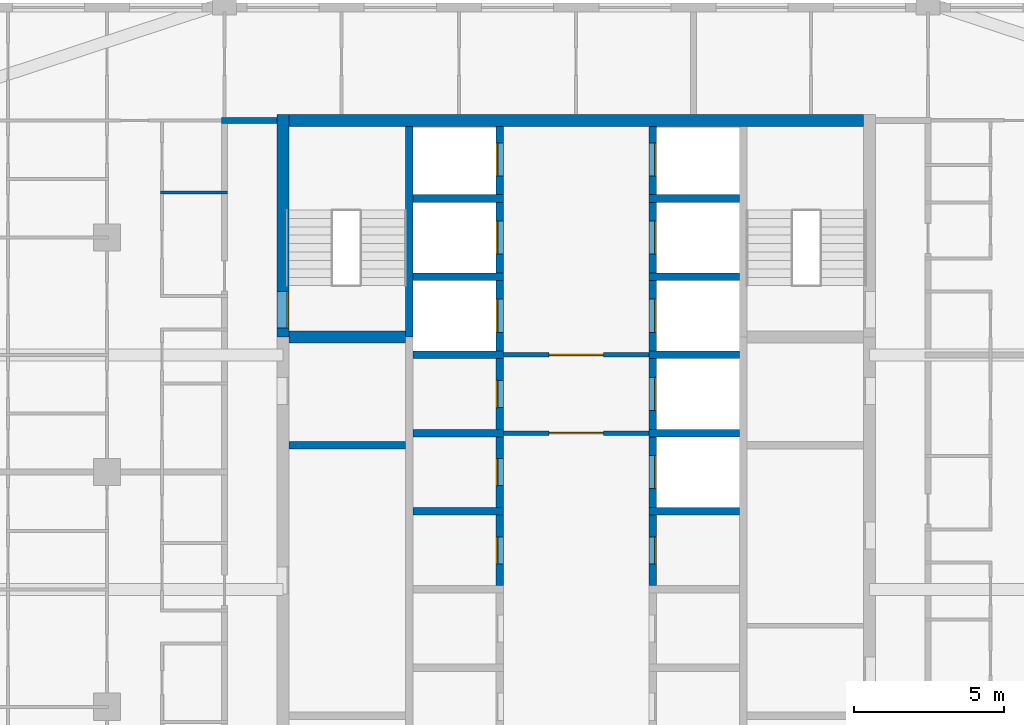
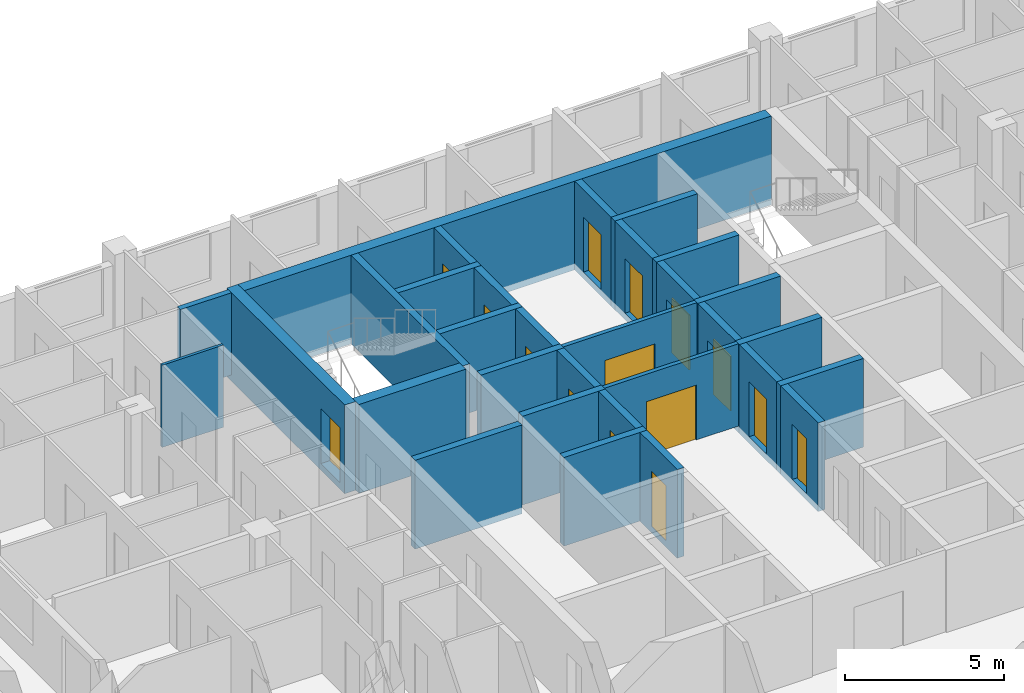
# One storey, part 9 of 16: 31 walls, 15 doors, 15 openings.
"""IFC4 building model written with IfcOpenShell, lengths in metres."""

import ifcopenshell
import ifcopenshell.guid

model = None  # the IFC model being written
_history = None  # IfcOwnerHistory: only IFC2X3 demands one
_inside = {}  # id of a spatial element -> (the spatial element, [elements in it])
_under = {}  # id of a project, library or spatial element -> (it, [spatial elements below it])
_declared = {}  # id of a project -> (the project, [libraries it declares])
_typed = {}  # id of a type object -> (the type object, [elements of that type])
_made_of = {}  # id of a material, layer set ... -> (it, [elements and type objects made of it])


def new_model(schema):
    """Start an empty IFC model of exactly this schema.

    Asked for "IFC4X3", IfcOpenShell would pick the latest addendum, in which some entities
    have other attributes; the version numbers below select the first issue.
    IFC2X3 requires an IfcOwnerHistory on every rooted entity: one is made here for all.
    """
    global model, _history
    if schema == "IFC4X3":
        model = ifcopenshell.file(schema_version=(4, 3, 0, 0))
    else:
        model = ifcopenshell.file(schema=schema)
    _inside.clear()
    _under.clear()
    _declared.clear()
    _typed.clear()
    _made_of.clear()
    _history = None
    if model.schema == "IFC2X3":
        org = make("IfcOrganization", Name="unknown")
        user = make(
            "IfcPersonAndOrganization",
            ThePerson=make("IfcPerson", FamilyName="unknown"),
            TheOrganization=org,
        )
        app = make(
            "IfcApplication",
            ApplicationDeveloper=org,
            Version="unknown",
            ApplicationFullName="unknown",
            ApplicationIdentifier="unknown",
        )
        _history = make(
            "IfcOwnerHistory",
            OwningUser=user,
            OwningApplication=app,
            ChangeAction="ADDED",
            CreationDate=0,
        )
    return model


def make(cls, **values):
    """One entity of the class cls with the attributes given. An attribute that is None is left unset."""
    return model.create_entity(
        cls, **{name: value for name, value in values.items() if value is not None}
    )


def rooted(cls, **values):
    """An entity with a GlobalId (a new one), such as an element, a storey or a relation."""
    return make(cls, GlobalId=ifcopenshell.guid.new(), OwnerHistory=_history, **values)


def si_unit(unit_type, name, prefix=None):
    """IfcSIUnit, for example si_unit("LENGTHUNIT", "METRE", prefix="MILLI")."""
    return make("IfcSIUnit", UnitType=unit_type, Prefix=prefix, Name=name)


def assignment(units):
    """IfcUnitAssignment: the units of a project."""
    return None if units is None else make("IfcUnitAssignment", Units=units)


def point(xyz):
    """IfcCartesianPoint."""
    return None if xyz is None else make("IfcCartesianPoint", Coordinates=xyz)


def direction(xyz):
    """IfcDirection."""
    return None if xyz is None else make("IfcDirection", DirectionRatios=xyz)


def frame(location, z_axis=None, x_axis=None):
    """IfcAxis2Placement3D, a coordinate frame: its origin and axes. An axis left out is left unset."""
    return make(
        "IfcAxis2Placement3D",
        Location=point(location),
        Axis=direction(z_axis),
        RefDirection=direction(x_axis),
    )


def frame_2d(location, x_axis=None):
    """IfcAxis2Placement2D, a coordinate frame in the plane: its origin and x axis."""
    return make(
        "IfcAxis2Placement2D", Location=point(location), RefDirection=direction(x_axis)
    )


def origin():
    """The frame at (0, 0, 0) with its axes left unset."""
    return frame((0.0, 0.0, 0.0))


def place(relative_to, where):
    """IfcLocalPlacement: puts the frame where relative to a parent placement (None: the world)."""
    return make(
        "IfcLocalPlacement", PlacementRelTo=relative_to, RelativePlacement=where
    )


def context(
    kind, dimensions, precision=None, world=None, true_north=None, identifier=None
):
    """IfcGeometricRepresentationContext, for example the 3D "Model" context."""
    return make(
        "IfcGeometricRepresentationContext",
        ContextIdentifier=identifier,
        ContextType=kind,
        CoordinateSpaceDimension=dimensions,
        Precision=precision,
        WorldCoordinateSystem=world,
        TrueNorth=true_north,
    )


def subcontext(parent, identifier, kind, view, scale=None):
    """IfcGeometricRepresentationSubContext, for example "Body" below "Model"."""
    return make(
        "IfcGeometricRepresentationSubContext",
        ContextIdentifier=identifier,
        ContextType=kind,
        ParentContext=parent,
        TargetScale=scale,
        TargetView=view,
    )


def project(units=None, contexts=None):
    """IfcProject with its units and contexts."""
    return rooted(
        "IfcProject",
        Name="project",
        RepresentationContexts=contexts,
        UnitsInContext=assignment(units),
    )


def spatial(cls, under=None, at=None, **own):
    """A site, building, storey or space (cls), placed at a placement, below another one or the project."""
    s = rooted(cls, ObjectPlacement=at, **own)
    if under is not None:
        _under.setdefault(under.id(), (under, []))[1].append(s)
    return s


def profile(cls, at=None, kind="AREA", **sizes):
    """A parametric profile (cls). Its sizes go by their IFC names, for example OverallWidth=200.0."""
    return make(cls, ProfileType=kind, Position=at, **sizes)


def rectangle(**sizes):
    """IfcRectangleProfileDef."""
    return profile("IfcRectangleProfileDef", **sizes)


def extrude(swept, where, along, depth):
    """IfcExtrudedAreaSolid: the profile swept, set in the frame where, extruded along a direction by depth."""
    return make(
        "IfcExtrudedAreaSolid",
        SweptArea=swept,
        Position=where,
        ExtrudedDirection=direction(along),
        Depth=depth,
    )


def shape(context_of_items, identifier, shape_type, items):
    """IfcShapeRepresentation: the items that make up one representation, for example the "Body"."""
    return make(
        "IfcShapeRepresentation",
        ContextOfItems=context_of_items,
        RepresentationIdentifier=identifier,
        RepresentationType=shape_type,
        Items=items,
    )


def material(Name=None, Category=None):
    """IfcMaterial."""
    return make("IfcMaterial", Name=Name, Category=Category)


def layer(
    of_material, thickness, ventilated=None, Name=None, Category=None, Priority=None
):
    """IfcMaterialLayer: one layer of a wall or slab, of a material (None: an air gap)."""
    return make(
        "IfcMaterialLayer",
        Material=of_material,
        LayerThickness=thickness,
        IsVentilated=ventilated,
        Name=Name,
        Category=Category,
        Priority=Priority,
    )


def layer_set(layers, Name=None):
    """IfcMaterialLayerSet."""
    return make("IfcMaterialLayerSet", MaterialLayers=layers, LayerSetName=Name)


def made_of(thing, what):
    """Note that an element or type object is made of a material, layer set ...; save() writes the relation."""
    if what is not None:
        _made_of.setdefault(what.id(), (what, []))[1].append(thing)
    return thing


def type_object(cls, material=None, **own):
    """A type object (cls), such as IfcWallType, which elements share."""
    return made_of(rooted(cls, **own), material)


def element(
    cls,
    number,
    at=None,
    inside=None,
    cuts=None,
    type_object=None,
    material=None,
    context=None,
    identifier="Body",
    shape_type=None,
    held_by="IfcProductDefinitionShape",
    body=None,
    shapes=None,
    **own,
):
    """One element of the class cls, such as IfcWall. Its Tag is "e" and its number.

    at: its placement. inside: the storey or other place that contains it. cuts: it is an
    opening in that element (IfcRelVoidsElement). A single representation is given by context,
    identifier, shape_type and body (its items); several are given by shapes. held_by: the class
    of the entity that holds the representations. save() writes the other relations.
    """
    e = rooted(cls, Tag="e%d" % number, ObjectPlacement=at, **own)
    if body is not None:
        shapes = [shape(context, identifier, shape_type, body)]
    if shapes is not None:
        e.Representation = make(held_by, Representations=shapes)
    if inside is not None:
        _inside.setdefault(inside.id(), (inside, []))[1].append(e)
    if cuts is not None:
        rooted(
            "IfcRelVoidsElement", RelatingBuildingElement=cuts, RelatedOpeningElement=e
        )
    if type_object is not None:
        _typed.setdefault(type_object.id(), (type_object, []))[1].append(e)
    return made_of(e, material)


def fill(opening, filler):
    """IfcRelFillsElement: the door or window that sits in an opening."""
    return rooted(
        "IfcRelFillsElement",
        RelatingOpeningElement=opening,
        RelatedBuildingElement=filler,
    )


def aggregate(whole, parts):
    """IfcRelAggregates: a whole, such as a stair, and the parts it consists of."""
    return rooted("IfcRelAggregates", RelatingObject=whole, RelatedObjects=parts)


def save(model, path):
    """Write the relations noted so far, then the file.

    IfcRelAggregates (storeys below a building ...), IfcRelContainedInSpatialStructure (elements
    in a storey), IfcRelDefinesByType, IfcRelAssociatesMaterial and IfcRelDeclares: one each for
    every whole, place, type object, material and project.
    """
    for whole, parts in _under.values():
        aggregate(whole, parts)
    for where, things in _inside.values():
        rooted(
            "IfcRelContainedInSpatialStructure",
            RelatedElements=things,
            RelatingStructure=where,
        )
    for kind, things in _typed.values():
        rooted("IfcRelDefinesByType", RelatedObjects=things, RelatingType=kind)
    for what, things in _made_of.values():
        rooted("IfcRelAssociatesMaterial", RelatedObjects=things, RelatingMaterial=what)
    for by, libraries in _declared.values():
        rooted("IfcRelDeclares", RelatingContext=by, RelatedDefinitions=libraries)
    model.write(path)


model = new_model("IFC4")

# Units and contexts
model_context = context("Model", 3, precision=1e-05, world=origin(), true_north=direction((0.0, 1.0)))
body_context = subcontext(model_context, "Body", "Model", "MODEL_VIEW")
ifc_project = project(units=[si_unit("LENGTHUNIT", "METRE"), si_unit("AREAUNIT", "SQUARE_METRE"), si_unit("VOLUMEUNIT", "CUBIC_METRE"), si_unit("PLANEANGLEUNIT", "RADIAN"), si_unit("MASSUNIT", "GRAM", prefix="KILO")], contexts=[model_context])

# Site, building, storey
site_placement = place(None, origin())
site = spatial("IfcSite", under=ifc_project, at=site_placement, CompositionType="ELEMENT")
building_placement = place(site_placement, origin())
building = spatial("IfcBuilding", under=site, at=building_placement, Name="Ludao Terraces", CompositionType="ELEMENT")
storey_placement = place(building_placement, frame((0.0, 0.0, 217.699951171875)))
storey = spatial("IfcBuildingStorey", under=building, at=storey_placement, Name="L59", CompositionType="ELEMENT", Elevation=217.699951171875)

# Wall, opening, door
ifc_material_1 = material(Name="Concrete C50", Category="concrete")
ifc_layer_1 = layer(ifc_material_1, 0.39990234375)
ifc_layer_set_1 = layer_set([ifc_layer_1], Name="Core wall 400 C50")
wall_type_1 = type_object("IfcWallType", Name="Core wall 400 C50", PredefinedType="SOLIDWALL", material=ifc_layer_set_1)
wall_1_placement = place(storey_placement, frame((75.25, 77.300048828125, -0.25), z_axis=(0.0, 0.0, 1.0), x_axis=(0.0, 1.0, 0.0)))
wall_1 = element("IfcWall", 1, at=wall_1_placement, inside=storey, type_object=wall_type_1, Name="Core wall L59 outer-W-S1", PredefinedType="SOLIDWALL", context=body_context, shape_type="SweptSolid", body=[
    extrude(rectangle(XDim=7.39990234375, YDim=0.39990234375, at=frame_2d((3.699951171875, 0.0))), origin(), (0.0, 0.0, 1.0), 3.400146484375),
])
opening_1_placement = place(wall_1_placement, frame((0.300048828125, 0.0, 0.25)))
opening_1 = element("IfcOpeningElement", 2, at=opening_1_placement, cuts=wall_1, Name="Opening R21-110", PredefinedType="OPENING", context=body_context, shape_type="SweptSolid", body=[
    extrude(rectangle(XDim=1.199951171875, YDim=2.10009765625, at=frame_2d((0.60009765625, 1.050048828125))), frame((0.0, 0.2099609375, 0.0), z_axis=(0.0, -1.0, 0.0), x_axis=(1.0, 0.0, 0.0)), (0.0, 0.0, 1.0), 0.419921875),
])
ifc_material_2 = material(Name="Steel Q235", Category="steel")
door_type_1 = type_object("IfcDoorType", Name="INT Stair door 1200", OperationType="DOUBLE_DOOR_SINGLE_SWING", PredefinedType="DOOR", material=ifc_material_2)
door_1_placement = place(opening_1_placement, origin())
door_1 = element("IfcDoor", 3, at=door_1_placement, inside=storey, type_object=door_type_1, Name="DOOR 110", OperationType="DOUBLE_DOOR_SINGLE_SWING", OverallHeight=2.10009765625, OverallWidth=1.199951171875, PredefinedType="DOOR", context=body_context, shape_type="SweptSolid", body=[
    extrude(rectangle(XDim=1.199951171875, YDim=2.10009765625, at=frame_2d((0.60009765625, 1.050048828125))), frame((0.0, -0.134765625, 0.0), z_axis=(0.0, -1.0, 0.0), x_axis=(1.0, 0.0, 0.0)), (0.0, 0.0, 1.0), 0.050048828125),
])
fill(opening_1, door_1)

# Wall
wall_2_placement = place(storey_placement, frame((75.449951171875, 84.5, -0.25), z_axis=(0.0, 0.0, 1.0), x_axis=(1.0, 0.0, 0.0)))
element("IfcWall", 4, at=wall_2_placement, inside=storey, type_object=wall_type_1, Name="Core wall L59 outer-N", PredefinedType="SOLIDWALL", context=body_context, shape_type="SweptSolid", body=[
    extrude(rectangle(XDim=19.10009765625, YDim=0.39990234375, at=frame_2d((9.550048828125, 0.0))), origin(), (0.0, 0.0, 1.0), 3.400146484375),
])

# Wall, opening, door
ifc_material_3 = material(Name="Fire-rated gypsum plasterboard", Category="gypsum")
ifc_layer_2 = layer(ifc_material_3, 0.012451171875, Category="gypsum")
ifc_material_4 = material(Name="Mineral wool")
ifc_layer_3 = layer(ifc_material_4, 0.10009765625, Name="insulation")
ifc_layer_4 = layer(ifc_material_2, 0.02490234375, Name="stud")
ifc_layer_5 = layer(ifc_material_3, 0.012451171875, Category="gypsum")
ifc_layer_set_2 = layer_set([ifc_layer_2, ifc_layer_3, ifc_layer_4, ifc_layer_5], Name="INT Core partition 150")
wall_type_2 = type_object("IfcWallType", Name="INT Core partition 150", PredefinedType="PARTITIONING", material=ifc_layer_set_2)
wall_3_placement = place(storey_placement, frame((82.5751953125, 74.10009765625, 0.0), z_axis=(0.0, 0.0, 1.0), x_axis=(1.0, 0.0, 0.0)))
wall_3 = element("IfcWall", 5, at=wall_3_placement, inside=storey, type_object=wall_type_2, Name="PW-L59-PW048", PredefinedType="PARTITIONING", context=body_context, shape_type="SweptSolid", body=[
    extrude(rectangle(XDim=4.849853515625, YDim=0.14990234375, at=frame_2d((2.4248046875, 0.0))), origin(), (0.0, 0.0, 1.0), 3.150146484375),
])
opening_2_placement = place(wall_3_placement, frame((1.52490234375, 0.0, 0.0)))
opening_2 = element("IfcOpeningElement", 6, at=opening_2_placement, cuts=wall_3, Name="Opening R21-094", PredefinedType="OPENING", context=body_context, shape_type="SweptSolid", body=[
    extrude(rectangle(XDim=1.800048828125, YDim=2.10009765625, at=frame_2d((0.89990234375, 1.050048828125))), frame((0.0, 0.0849609375, 0.0), z_axis=(0.0, -1.0, 0.0), x_axis=(1.0, 0.0, 0.0)), (0.0, 0.0, 1.0), 0.169921875),
])
door_type_2 = type_object("IfcDoorType", Name="INT Fire lobby door 1800", OperationType="DOUBLE_DOOR_SINGLE_SWING", PredefinedType="DOOR", material=ifc_material_2)
door_2_placement = place(opening_2_placement, origin())
door_2 = element("IfcDoor", 7, at=door_2_placement, inside=storey, type_object=door_type_2, Name="DOOR 094", OperationType="DOUBLE_DOOR_SINGLE_SWING", OverallHeight=2.10009765625, OverallWidth=1.800048828125, PredefinedType="DOOR", context=body_context, shape_type="SweptSolid", body=[
    extrude(rectangle(XDim=1.800048828125, YDim=2.10009765625, at=frame_2d((0.89990234375, 1.050048828125))), frame((0.0, 0.02490234375, 0.0), z_axis=(0.0, -1.0, 0.0), x_axis=(1.0, 0.0, 0.0)), (0.0, 0.0, 1.0), 0.050048828125),
])
fill(opening_2, door_2)

wall_4_placement = place(storey_placement, frame((82.5751953125, 76.699951171875, 0.0), z_axis=(0.0, 0.0, 1.0), x_axis=(1.0, 0.0, 0.0)))
wall_4 = element("IfcWall", 8, at=wall_4_placement, inside=storey, type_object=wall_type_2, Name="PW-L59-PW053", PredefinedType="PARTITIONING", context=body_context, shape_type="SweptSolid", body=[
    extrude(rectangle(XDim=4.849853515625, YDim=0.14990234375, at=frame_2d((2.4248046875, 0.0))), origin(), (0.0, 0.0, 1.0), 3.150146484375),
])
opening_3_placement = place(wall_4_placement, frame((1.52490234375, 0.0, 0.0)))
opening_3 = element("IfcOpeningElement", 9, at=opening_3_placement, cuts=wall_4, Name="Opening R21-106", PredefinedType="OPENING", context=body_context, shape_type="SweptSolid", body=[
    extrude(rectangle(XDim=1.800048828125, YDim=2.10009765625, at=frame_2d((0.89990234375, 1.050048828125))), frame((0.0, 0.0849609375, 0.0), z_axis=(0.0, -1.0, 0.0), x_axis=(1.0, 0.0, 0.0)), (0.0, 0.0, 1.0), 0.169921875),
])
door_3_placement = place(opening_3_placement, origin())
door_3 = element("IfcDoor", 10, at=door_3_placement, inside=storey, type_object=door_type_2, Name="DOOR 106", OperationType="DOUBLE_DOOR_SINGLE_SWING", OverallHeight=2.10009765625, OverallWidth=1.800048828125, PredefinedType="DOOR", context=body_context, shape_type="SweptSolid", body=[
    extrude(rectangle(XDim=1.800048828125, YDim=2.10009765625, at=frame_2d((0.89990234375, 1.050048828125))), frame((0.0, 0.02490234375, 0.0), z_axis=(0.0, -1.0, 0.0), x_axis=(1.0, 0.0, 0.0)), (0.0, 0.0, 1.0), 0.050048828125),
])
fill(opening_3, door_3)

# Walls
ifc_material_5 = material(Name="Autoclaved aerated concrete block B06 A3.5", Category="concrete")
ifc_layer_6 = layer(ifc_material_5, 0.199951171875)
ifc_layer_set_3 = layer_set([ifc_layer_6], Name="INT Entrance wall 200")
wall_type_3 = type_object("IfcWallType", Name="INT Entrance wall 200", PredefinedType="PARTITIONING", material=ifc_layer_set_3)
wall_5_placement = place(storey_placement, frame((73.2001953125, 84.5, 0.0), z_axis=(0.0, 0.0, 1.0), x_axis=(1.0, 0.0, 0.0)))
element("IfcWall", 11, at=wall_5_placement, inside=storey, type_object=wall_type_3, Name="PW-L59-PW067", PredefinedType="PARTITIONING", context=body_context, shape_type="SweptSolid", body=[
    extrude(rectangle(XDim=1.849853515625, YDim=0.199951171875, at=frame_2d((0.9248046875, 0.0))), origin(), (0.0, 0.0, 1.0), 3.150146484375),
])
ifc_material_6 = material(Name="Gypsum plasterboard", Category="gypsum")
ifc_layer_7 = layer(ifc_material_6, 0.012451171875, Category="gypsum")
ifc_layer_8 = layer(ifc_material_4, 0.06005859375, Name="insulation")
ifc_layer_9 = layer(ifc_material_2, 0.014892578125, Name="stud")
ifc_layer_10 = layer(ifc_material_6, 0.012451171875, Category="gypsum")
ifc_layer_set_4 = layer_set([ifc_layer_7, ifc_layer_8, ifc_layer_9, ifc_layer_10], Name="INT Partition 100")
wall_type_4 = type_object("IfcWallType", Name="INT Partition 100", PredefinedType="PARTITIONING", material=ifc_layer_set_4)
wall_6_placement = place(storey_placement, frame((71.18017578125, 82.10009765625, 0.0), z_axis=(0.0, 0.0, 1.0), x_axis=(1.0, 0.0, 0.0)))
element("IfcWall", 12, at=wall_6_placement, inside=storey, type_object=wall_type_4, Name="PW-L59-PW062", PredefinedType="PARTITIONING", context=body_context, shape_type="SweptSolid", body=[
    extrude(rectangle(XDim=2.219970703125, YDim=0.10009765625, at=frame_2d((1.10986328125, 0.0))), origin(), (0.0, 0.0, 1.0), 3.150146484375),
])
ifc_layer_11 = layer(ifc_material_1, 0.25)
ifc_layer_set_5 = layer_set([ifc_layer_11], Name="Shaft wall 250 C50")
wall_type_5 = type_object("IfcWallType", Name="Shaft wall 250 C50", PredefinedType="SOLIDWALL", material=ifc_layer_set_5)
wall_7_placement = place(storey_placement, frame((79.449951171875, 77.300048828125, -0.25), z_axis=(0.0, 0.0, 1.0), x_axis=(0.0, 1.0, 0.0)))
element("IfcWall", 13, at=wall_7_placement, inside=storey, type_object=wall_type_5, Name="Core wall L59 back-W-S1", PredefinedType="SOLIDWALL", context=body_context, shape_type="SweptSolid", body=[
    extrude(rectangle(XDim=7.0, YDim=0.25, at=frame_2d((3.5, 0.0))), origin(), (0.0, 0.0, 1.0), 3.400146484375),
])

# Wall, opening, door
wall_8_placement = place(storey_placement, frame((82.449951171875, 69.02490234375, -0.25), z_axis=(0.0, 0.0, 1.0), x_axis=(0.0, 1.0, 0.0)))
wall_8 = element("IfcWall", 14, at=wall_8_placement, inside=storey, type_object=wall_type_5, Name="Core wall L59 front-W4", PredefinedType="SOLIDWALL", context=body_context, shape_type="SweptSolid", body=[
    extrude(rectangle(XDim=2.35009765625, YDim=0.25, at=frame_2d((1.175048828125, 0.0))), origin(), (0.0, 0.0, 1.0), 3.400146484375),
])
opening_4_placement = place(wall_8_placement, frame((0.72509765625, 0.0, 0.25)))
opening_4 = element("IfcOpeningElement", 15, at=opening_4_placement, cuts=wall_8, Name="Opening R21-080", PredefinedType="OPENING", context=body_context, shape_type="SweptSolid", body=[
    extrude(rectangle(XDim=0.89990234375, YDim=2.10009765625, at=frame_2d((0.449951171875, 1.050048828125))), frame((0.0, 0.135009765625, 0.0), z_axis=(0.0, -1.0, 0.0), x_axis=(1.0, 0.0, 0.0)), (0.0, 0.0, 1.0), 0.27001953125),
])
ifc_material_7 = material(Name="Timber door leaf", Category="wood")
door_type_3 = type_object("IfcDoorType", Name="INT Room door 900", OperationType="SINGLE_SWING_LEFT", PredefinedType="DOOR", material=ifc_material_7)
door_4_placement = place(opening_4_placement, origin())
door_4 = element("IfcDoor", 16, at=door_4_placement, inside=storey, type_object=door_type_3, Name="DOOR 080", OperationType="SINGLE_SWING_LEFT", OverallHeight=2.10009765625, OverallWidth=0.89990234375, PredefinedType="DOOR", context=body_context, shape_type="SweptSolid", body=[
    extrude(rectangle(XDim=0.89990234375, YDim=2.10009765625, at=frame_2d((0.449951171875, 1.050048828125))), frame((0.0, 0.10986328125, 0.0), z_axis=(0.0, -1.0, 0.0), x_axis=(1.0, 0.0, 0.0)), (0.0, 0.0, 1.0), 0.050048828125),
])
fill(opening_4, door_4)

# Wall
wall_9_placement = place(storey_placement, frame((79.574951171875, 71.5, -0.25), z_axis=(0.0, 0.0, 1.0), x_axis=(1.0, 0.0, 0.0)))
element("IfcWall", 17, at=wall_9_placement, inside=storey, type_object=wall_type_5, Name="Core wall L59 div-W5", PredefinedType="SOLIDWALL", context=body_context, shape_type="SweptSolid", body=[
    extrude(rectangle(XDim=3.0, YDim=0.25, at=frame_2d((1.5, 0.0))), origin(), (0.0, 0.0, 1.0), 3.400146484375),
])

# Wall, opening, door
wall_10_placement = place(storey_placement, frame((82.449951171875, 71.625, -0.25), z_axis=(0.0, 0.0, 1.0), x_axis=(0.0, 1.0, 0.0)))
wall_10 = element("IfcWall", 18, at=wall_10_placement, inside=storey, type_object=wall_type_5, Name="Core wall L59 front-W5", PredefinedType="SOLIDWALL", context=body_context, shape_type="SweptSolid", body=[
    extrude(rectangle(XDim=2.35009765625, YDim=0.25, at=frame_2d((1.175048828125, 0.0))), origin(), (0.0, 0.0, 1.0), 3.400146484375),
])
opening_5_placement = place(wall_10_placement, frame((0.72509765625, 0.0, 0.25)))
opening_5 = element("IfcOpeningElement", 19, at=opening_5_placement, cuts=wall_10, Name="Opening R21-090", PredefinedType="OPENING", context=body_context, shape_type="SweptSolid", body=[
    extrude(rectangle(XDim=0.89990234375, YDim=2.10009765625, at=frame_2d((0.449951171875, 1.050048828125))), frame((0.0, 0.135009765625, 0.0), z_axis=(0.0, -1.0, 0.0), x_axis=(1.0, 0.0, 0.0)), (0.0, 0.0, 1.0), 0.27001953125),
])
door_5_placement = place(opening_5_placement, origin())
door_5 = element("IfcDoor", 20, at=door_5_placement, inside=storey, type_object=door_type_3, Name="DOOR 090", OperationType="SINGLE_SWING_RIGHT", OverallHeight=2.10009765625, OverallWidth=0.89990234375, PredefinedType="DOOR", context=body_context, shape_type="SweptSolid", body=[
    extrude(rectangle(XDim=0.89990234375, YDim=2.10009765625, at=frame_2d((0.449951171875, 1.050048828125))), frame((0.0, 0.10986328125, 0.0), z_axis=(0.0, -1.0, 0.0), x_axis=(1.0, 0.0, 0.0)), (0.0, 0.0, 1.0), 0.050048828125),
])
fill(opening_5, door_5)

# Wall
wall_11_placement = place(storey_placement, frame((79.574951171875, 74.10009765625, -0.25), z_axis=(0.0, 0.0, 1.0), x_axis=(1.0, 0.0, 0.0)))
element("IfcWall", 21, at=wall_11_placement, inside=storey, type_object=wall_type_5, Name="Core wall L59 div-W6", PredefinedType="SOLIDWALL", context=body_context, shape_type="SweptSolid", body=[
    extrude(rectangle(XDim=3.0, YDim=0.25, at=frame_2d((1.5, 0.0))), origin(), (0.0, 0.0, 1.0), 3.400146484375),
])

# Wall, opening, door
wall_12_placement = place(storey_placement, frame((82.449951171875, 74.22509765625, -0.25), z_axis=(0.0, 0.0, 1.0), x_axis=(0.0, 1.0, 0.0)))
wall_12 = element("IfcWall", 22, at=wall_12_placement, inside=storey, type_object=wall_type_5, Name="Core wall L59 front-W6", PredefinedType="SOLIDWALL", context=body_context, shape_type="SweptSolid", body=[
    extrude(rectangle(XDim=2.349853515625, YDim=0.25, at=frame_2d((1.1748046875, 0.0))), origin(), (0.0, 0.0, 1.0), 3.400146484375),
])
opening_6_placement = place(wall_12_placement, frame((0.72509765625, 0.0, 0.25)))
opening_6 = element("IfcOpeningElement", 23, at=opening_6_placement, cuts=wall_12, Name="Opening R21-097", PredefinedType="OPENING", context=body_context, shape_type="SweptSolid", body=[
    extrude(rectangle(XDim=0.89990234375, YDim=2.10009765625, at=frame_2d((0.449951171875, 1.050048828125))), frame((0.0, 0.135009765625, 0.0), z_axis=(0.0, -1.0, 0.0), x_axis=(1.0, 0.0, 0.0)), (0.0, 0.0, 1.0), 0.27001953125),
])
door_6_placement = place(opening_6_placement, origin())
door_6 = element("IfcDoor", 24, at=door_6_placement, inside=storey, type_object=door_type_3, Name="DOOR 097", OperationType="SINGLE_SWING_LEFT", OverallHeight=2.10009765625, OverallWidth=0.89990234375, PredefinedType="DOOR", context=body_context, shape_type="SweptSolid", body=[
    extrude(rectangle(XDim=0.89990234375, YDim=2.10009765625, at=frame_2d((0.449951171875, 1.050048828125))), frame((0.0, 0.10986328125, 0.0), z_axis=(0.0, -1.0, 0.0), x_axis=(1.0, 0.0, 0.0)), (0.0, 0.0, 1.0), 0.050048828125),
])
fill(opening_6, door_6)

# Wall
wall_13_placement = place(storey_placement, frame((79.574951171875, 76.699951171875, -0.25), z_axis=(0.0, 0.0, 1.0), x_axis=(1.0, 0.0, 0.0)))
element("IfcWall", 25, at=wall_13_placement, inside=storey, type_object=wall_type_5, Name="Core wall L59 div-W7", PredefinedType="SOLIDWALL", context=body_context, shape_type="SweptSolid", body=[
    extrude(rectangle(XDim=3.0, YDim=0.25, at=frame_2d((1.5, 0.0))), origin(), (0.0, 0.0, 1.0), 3.400146484375),
])

# Wall, opening, door
wall_14_placement = place(storey_placement, frame((82.449951171875, 76.824951171875, -0.25), z_axis=(0.0, 0.0, 1.0), x_axis=(0.0, 1.0, 0.0)))
wall_14 = element("IfcWall", 26, at=wall_14_placement, inside=storey, type_object=wall_type_5, Name="Core wall L59 front-W7", PredefinedType="SOLIDWALL", context=body_context, shape_type="SweptSolid", body=[
    extrude(rectangle(XDim=2.35009765625, YDim=0.25, at=frame_2d((1.175048828125, 0.0))), origin(), (0.0, 0.0, 1.0), 3.400146484375),
])
opening_7_placement = place(wall_14_placement, frame((0.625, 0.0, 0.25)))
opening_7 = element("IfcOpeningElement", 27, at=opening_7_placement, cuts=wall_14, Name="Opening LD-FF1", PredefinedType="OPENING", context=body_context, shape_type="SweptSolid", body=[
    extrude(rectangle(XDim=1.10009765625, YDim=2.10009765625, at=frame_2d((0.550048828125, 1.050048828125))), frame((0.0, 0.135009765625, 0.0), z_axis=(0.0, -1.0, 0.0), x_axis=(1.0, 0.0, 0.0)), (0.0, 0.0, 1.0), 0.27001953125),
])
ifc_material_8 = material(Name="Stainless steel 304", Category="steel")
door_type_4 = type_object("IfcDoorType", Name="INT Lift landing door 1100", OperationType="SLIDING_TO_LEFT", PredefinedType="DOOR", material=ifc_material_8)
door_7_placement = place(opening_7_placement, origin())
door_7 = element("IfcDoor", 28, at=door_7_placement, inside=storey, type_object=door_type_4, Name="LANDING DOOR FF1 L59", OperationType="SLIDING_TO_LEFT", OverallHeight=2.10009765625, OverallWidth=1.10009765625, PredefinedType="DOOR", context=body_context, shape_type="SweptSolid", body=[
    extrude(rectangle(XDim=1.10009765625, YDim=2.10009765625, at=frame_2d((0.550048828125, 1.050048828125))), frame((0.0, 0.10986328125, 0.0), z_axis=(0.0, -1.0, 0.0), x_axis=(1.0, 0.0, 0.0)), (0.0, 0.0, 1.0), 0.050048828125),
])
fill(opening_7, door_7)

# Wall
wall_15_placement = place(storey_placement, frame((79.574951171875, 79.300048828125, -0.25), z_axis=(0.0, 0.0, 1.0), x_axis=(1.0, 0.0, 0.0)))
element("IfcWall", 29, at=wall_15_placement, inside=storey, type_object=wall_type_5, Name="Core wall L59 div-W8", PredefinedType="SOLIDWALL", context=body_context, shape_type="SweptSolid", body=[
    extrude(rectangle(XDim=3.0, YDim=0.25, at=frame_2d((1.5, 0.0))), origin(), (0.0, 0.0, 1.0), 3.400146484375),
])

# Wall, opening, door
wall_16_placement = place(storey_placement, frame((82.449951171875, 79.425048828125, -0.25), z_axis=(0.0, 0.0, 1.0), x_axis=(0.0, 1.0, 0.0)))
wall_16 = element("IfcWall", 30, at=wall_16_placement, inside=storey, type_object=wall_type_5, Name="Core wall L59 front-W8", PredefinedType="SOLIDWALL", context=body_context, shape_type="SweptSolid", body=[
    extrude(rectangle(XDim=2.349853515625, YDim=0.25, at=frame_2d((1.1748046875, 0.0))), origin(), (0.0, 0.0, 1.0), 3.400146484375),
])
opening_8_placement = place(wall_16_placement, frame((0.625, 0.0, 0.25)))
opening_8 = element("IfcOpeningElement", 31, at=opening_8_placement, cuts=wall_16, Name="Opening LD-FF2", PredefinedType="OPENING", context=body_context, shape_type="SweptSolid", body=[
    extrude(rectangle(XDim=1.10009765625, YDim=2.10009765625, at=frame_2d((0.550048828125, 1.050048828125))), frame((0.0, 0.135009765625, 0.0), z_axis=(0.0, -1.0, 0.0), x_axis=(1.0, 0.0, 0.0)), (0.0, 0.0, 1.0), 0.27001953125),
])
door_8_placement = place(opening_8_placement, origin())
door_8 = element("IfcDoor", 32, at=door_8_placement, inside=storey, type_object=door_type_4, Name="LANDING DOOR FF2 L59", OperationType="SLIDING_TO_LEFT", OverallHeight=2.10009765625, OverallWidth=1.10009765625, PredefinedType="DOOR", context=body_context, shape_type="SweptSolid", body=[
    extrude(rectangle(XDim=1.10009765625, YDim=2.10009765625, at=frame_2d((0.550048828125, 1.050048828125))), frame((0.0, 0.10986328125, 0.0), z_axis=(0.0, -1.0, 0.0), x_axis=(1.0, 0.0, 0.0)), (0.0, 0.0, 1.0), 0.050048828125),
])
fill(opening_8, door_8)

# Wall
wall_17_placement = place(storey_placement, frame((79.574951171875, 81.89990234375, -0.25), z_axis=(0.0, 0.0, 1.0), x_axis=(1.0, 0.0, 0.0)))
element("IfcWall", 33, at=wall_17_placement, inside=storey, type_object=wall_type_5, Name="Core wall L59 div-W9", PredefinedType="SOLIDWALL", context=body_context, shape_type="SweptSolid", body=[
    extrude(rectangle(XDim=3.0, YDim=0.25, at=frame_2d((1.5, 0.0))), origin(), (0.0, 0.0, 1.0), 3.400146484375),
])

# Wall, opening, door
wall_18_placement = place(storey_placement, frame((82.449951171875, 82.02490234375, -0.25), z_axis=(0.0, 0.0, 1.0), x_axis=(0.0, 1.0, 0.0)))
wall_18 = element("IfcWall", 34, at=wall_18_placement, inside=storey, type_object=wall_type_5, Name="Core wall L59 front-W9", PredefinedType="SOLIDWALL", context=body_context, shape_type="SweptSolid", body=[
    extrude(rectangle(XDim=2.275146484375, YDim=0.25, at=frame_2d((1.1376953125, 0.0))), origin(), (0.0, 0.0, 1.0), 3.400146484375),
])
opening_9_placement = place(wall_18_placement, frame((0.625, 0.0, 0.25)))
opening_9 = element("IfcOpeningElement", 35, at=opening_9_placement, cuts=wall_18, Name="Opening LD-LB6", PredefinedType="OPENING", context=body_context, shape_type="SweptSolid", body=[
    extrude(rectangle(XDim=1.10009765625, YDim=2.10009765625, at=frame_2d((0.550048828125, 1.050048828125))), frame((0.0, 0.135009765625, 0.0), z_axis=(0.0, -1.0, 0.0), x_axis=(1.0, 0.0, 0.0)), (0.0, 0.0, 1.0), 0.27001953125),
])
door_9_placement = place(opening_9_placement, origin())
door_9 = element("IfcDoor", 36, at=door_9_placement, inside=storey, type_object=door_type_4, Name="LANDING DOOR LB6 L59", OperationType="SLIDING_TO_RIGHT", OverallHeight=2.10009765625, OverallWidth=1.10009765625, PredefinedType="DOOR", context=body_context, shape_type="SweptSolid", body=[
    extrude(rectangle(XDim=1.10009765625, YDim=2.10009765625, at=frame_2d((0.550048828125, 1.050048828125))), frame((0.0, 0.10986328125, 0.0), z_axis=(0.0, -1.0, 0.0), x_axis=(1.0, 0.0, 0.0)), (0.0, 0.0, 1.0), 0.050048828125),
])
fill(opening_9, door_9)

wall_19_placement = place(storey_placement, frame((87.550048828125, 69.02490234375, -0.25), z_axis=(0.0, 0.0, 1.0), x_axis=(0.0, 1.0, 0.0)))
wall_19 = element("IfcWall", 37, at=wall_19_placement, inside=storey, type_object=wall_type_5, Name="Core wall L59 front-E4", PredefinedType="SOLIDWALL", context=body_context, shape_type="SweptSolid", body=[
    extrude(rectangle(XDim=2.35009765625, YDim=0.25, at=frame_2d((1.175048828125, 0.0))), origin(), (0.0, 0.0, 1.0), 3.400146484375),
])
opening_10_placement = place(wall_19_placement, frame((0.72509765625, 0.0, 0.25)))
opening_10 = element("IfcOpeningElement", 38, at=opening_10_placement, cuts=wall_19, Name="Opening R21-081", PredefinedType="OPENING", context=body_context, shape_type="SweptSolid", body=[
    extrude(rectangle(XDim=0.89990234375, YDim=2.10009765625, at=frame_2d((0.449951171875, 1.050048828125))), frame((0.0, 0.135009765625, 0.0), z_axis=(0.0, -1.0, 0.0), x_axis=(1.0, 0.0, 0.0)), (0.0, 0.0, 1.0), 0.27001953125),
])
door_10_placement = place(opening_10_placement, origin())
door_10 = element("IfcDoor", 39, at=door_10_placement, inside=storey, type_object=door_type_3, Name="DOOR 081", OperationType="SINGLE_SWING_RIGHT", OverallHeight=2.10009765625, OverallWidth=0.89990234375, PredefinedType="DOOR", context=body_context, shape_type="SweptSolid", body=[
    extrude(rectangle(XDim=0.89990234375, YDim=2.10009765625, at=frame_2d((0.449951171875, 1.050048828125))), frame((0.0, -0.06005859375, 0.0), z_axis=(0.0, -1.0, 0.0), x_axis=(1.0, 0.0, 0.0)), (0.0, 0.0, 1.0), 0.050048828125),
])
fill(opening_10, door_10)

# Wall
wall_20_placement = place(storey_placement, frame((87.425048828125, 71.5, -0.25), z_axis=(0.0, 0.0, 1.0), x_axis=(1.0, 0.0, 0.0)))
element("IfcWall", 40, at=wall_20_placement, inside=storey, type_object=wall_type_5, Name="Core wall L59 div-E5", PredefinedType="SOLIDWALL", context=body_context, shape_type="SweptSolid", body=[
    extrude(rectangle(XDim=3.0, YDim=0.25, at=frame_2d((1.5, 0.0))), origin(), (0.0, 0.0, 1.0), 3.400146484375),
])

# Wall, opening, door
wall_21_placement = place(storey_placement, frame((87.550048828125, 71.625, -0.25), z_axis=(0.0, 0.0, 1.0), x_axis=(0.0, 1.0, 0.0)))
wall_21 = element("IfcWall", 41, at=wall_21_placement, inside=storey, type_object=wall_type_5, Name="Core wall L59 front-E5", PredefinedType="SOLIDWALL", context=body_context, shape_type="SweptSolid", body=[
    extrude(rectangle(XDim=2.35009765625, YDim=0.25, at=frame_2d((1.175048828125, 0.0))), origin(), (0.0, 0.0, 1.0), 3.400146484375),
])
opening_11_placement = place(wall_21_placement, frame((0.625, 0.0, 0.25)))
opening_11 = element("IfcOpeningElement", 42, at=opening_11_placement, cuts=wall_21, Name="Opening LD-LB1", PredefinedType="OPENING", context=body_context, shape_type="SweptSolid", body=[
    extrude(rectangle(XDim=1.10009765625, YDim=2.10009765625, at=frame_2d((0.550048828125, 1.050048828125))), frame((0.0, 0.135009765625, 0.0), z_axis=(0.0, -1.0, 0.0), x_axis=(1.0, 0.0, 0.0)), (0.0, 0.0, 1.0), 0.27001953125),
])
door_11_placement = place(opening_11_placement, origin())
door_11 = element("IfcDoor", 43, at=door_11_placement, inside=storey, type_object=door_type_4, Name="LANDING DOOR LB1 L59", OperationType="SLIDING_TO_LEFT", OverallHeight=2.10009765625, OverallWidth=1.10009765625, PredefinedType="DOOR", context=body_context, shape_type="SweptSolid", body=[
    extrude(rectangle(XDim=1.10009765625, YDim=2.10009765625, at=frame_2d((0.550048828125, 1.050048828125))), frame((0.0, -0.06005859375, 0.0), z_axis=(0.0, -1.0, 0.0), x_axis=(1.0, 0.0, 0.0)), (0.0, 0.0, 1.0), 0.050048828125),
])
fill(opening_11, door_11)

# Wall
wall_22_placement = place(storey_placement, frame((87.425048828125, 74.10009765625, -0.25), z_axis=(0.0, 0.0, 1.0), x_axis=(1.0, 0.0, 0.0)))
element("IfcWall", 44, at=wall_22_placement, inside=storey, type_object=wall_type_5, Name="Core wall L59 div-E6", PredefinedType="SOLIDWALL", context=body_context, shape_type="SweptSolid", body=[
    extrude(rectangle(XDim=3.0, YDim=0.25, at=frame_2d((1.5, 0.0))), origin(), (0.0, 0.0, 1.0), 3.400146484375),
])

# Wall, opening, door
wall_23_placement = place(storey_placement, frame((87.550048828125, 74.22509765625, -0.25), z_axis=(0.0, 0.0, 1.0), x_axis=(0.0, 1.0, 0.0)))
wall_23 = element("IfcWall", 45, at=wall_23_placement, inside=storey, type_object=wall_type_5, Name="Core wall L59 front-E6", PredefinedType="SOLIDWALL", context=body_context, shape_type="SweptSolid", body=[
    extrude(rectangle(XDim=2.349853515625, YDim=0.25, at=frame_2d((1.1748046875, 0.0))), origin(), (0.0, 0.0, 1.0), 3.400146484375),
])
opening_12_placement = place(wall_23_placement, frame((0.625, 0.0, 0.25)))
opening_12 = element("IfcOpeningElement", 46, at=opening_12_placement, cuts=wall_23, Name="Opening LD-LB2", PredefinedType="OPENING", context=body_context, shape_type="SweptSolid", body=[
    extrude(rectangle(XDim=1.10009765625, YDim=2.10009765625, at=frame_2d((0.550048828125, 1.050048828125))), frame((0.0, 0.135009765625, 0.0), z_axis=(0.0, -1.0, 0.0), x_axis=(1.0, 0.0, 0.0)), (0.0, 0.0, 1.0), 0.27001953125),
])
door_12_placement = place(opening_12_placement, origin())
door_12 = element("IfcDoor", 47, at=door_12_placement, inside=storey, type_object=door_type_4, Name="LANDING DOOR LB2 L59", OperationType="SLIDING_TO_LEFT", OverallHeight=2.10009765625, OverallWidth=1.10009765625, PredefinedType="DOOR", context=body_context, shape_type="SweptSolid", body=[
    extrude(rectangle(XDim=1.10009765625, YDim=2.10009765625, at=frame_2d((0.550048828125, 1.050048828125))), frame((0.0, -0.06005859375, 0.0), z_axis=(0.0, -1.0, 0.0), x_axis=(1.0, 0.0, 0.0)), (0.0, 0.0, 1.0), 0.050048828125),
])
fill(opening_12, door_12)

# Wall
wall_24_placement = place(storey_placement, frame((87.425048828125, 76.699951171875, -0.25), z_axis=(0.0, 0.0, 1.0), x_axis=(1.0, 0.0, 0.0)))
element("IfcWall", 48, at=wall_24_placement, inside=storey, type_object=wall_type_5, Name="Core wall L59 div-E7", PredefinedType="SOLIDWALL", context=body_context, shape_type="SweptSolid", body=[
    extrude(rectangle(XDim=3.0, YDim=0.25, at=frame_2d((1.5, 0.0))), origin(), (0.0, 0.0, 1.0), 3.400146484375),
])

# Wall, opening, door
wall_25_placement = place(storey_placement, frame((87.550048828125, 76.824951171875, -0.25), z_axis=(0.0, 0.0, 1.0), x_axis=(0.0, 1.0, 0.0)))
wall_25 = element("IfcWall", 49, at=wall_25_placement, inside=storey, type_object=wall_type_5, Name="Core wall L59 front-E7", PredefinedType="SOLIDWALL", context=body_context, shape_type="SweptSolid", body=[
    extrude(rectangle(XDim=2.35009765625, YDim=0.25, at=frame_2d((1.175048828125, 0.0))), origin(), (0.0, 0.0, 1.0), 3.400146484375),
])
opening_13_placement = place(wall_25_placement, frame((0.625, 0.0, 0.25)))
opening_13 = element("IfcOpeningElement", 50, at=opening_13_placement, cuts=wall_25, Name="Opening LD-LB3", PredefinedType="OPENING", context=body_context, shape_type="SweptSolid", body=[
    extrude(rectangle(XDim=1.10009765625, YDim=2.10009765625, at=frame_2d((0.550048828125, 1.050048828125))), frame((0.0, 0.135009765625, 0.0), z_axis=(0.0, -1.0, 0.0), x_axis=(1.0, 0.0, 0.0)), (0.0, 0.0, 1.0), 0.27001953125),
])
door_13_placement = place(opening_13_placement, origin())
door_13 = element("IfcDoor", 51, at=door_13_placement, inside=storey, type_object=door_type_4, Name="LANDING DOOR LB3 L59", OperationType="SLIDING_TO_LEFT", OverallHeight=2.10009765625, OverallWidth=1.10009765625, PredefinedType="DOOR", context=body_context, shape_type="SweptSolid", body=[
    extrude(rectangle(XDim=1.10009765625, YDim=2.10009765625, at=frame_2d((0.550048828125, 1.050048828125))), frame((0.0, -0.06005859375, 0.0), z_axis=(0.0, -1.0, 0.0), x_axis=(1.0, 0.0, 0.0)), (0.0, 0.0, 1.0), 0.050048828125),
])
fill(opening_13, door_13)

# Wall
wall_26_placement = place(storey_placement, frame((87.425048828125, 79.300048828125, -0.25), z_axis=(0.0, 0.0, 1.0), x_axis=(1.0, 0.0, 0.0)))
element("IfcWall", 52, at=wall_26_placement, inside=storey, type_object=wall_type_5, Name="Core wall L59 div-E8", PredefinedType="SOLIDWALL", context=body_context, shape_type="SweptSolid", body=[
    extrude(rectangle(XDim=3.0, YDim=0.25, at=frame_2d((1.5, 0.0))), origin(), (0.0, 0.0, 1.0), 3.400146484375),
])

# Wall, opening, door
wall_27_placement = place(storey_placement, frame((87.550048828125, 79.425048828125, -0.25), z_axis=(0.0, 0.0, 1.0), x_axis=(0.0, 1.0, 0.0)))
wall_27 = element("IfcWall", 53, at=wall_27_placement, inside=storey, type_object=wall_type_5, Name="Core wall L59 front-E8", PredefinedType="SOLIDWALL", context=body_context, shape_type="SweptSolid", body=[
    extrude(rectangle(XDim=2.349853515625, YDim=0.25, at=frame_2d((1.1748046875, 0.0))), origin(), (0.0, 0.0, 1.0), 3.400146484375),
])
opening_14_placement = place(wall_27_placement, frame((0.625, 0.0, 0.25)))
opening_14 = element("IfcOpeningElement", 54, at=opening_14_placement, cuts=wall_27, Name="Opening LD-LB4", PredefinedType="OPENING", context=body_context, shape_type="SweptSolid", body=[
    extrude(rectangle(XDim=1.10009765625, YDim=2.10009765625, at=frame_2d((0.550048828125, 1.050048828125))), frame((0.0, 0.135009765625, 0.0), z_axis=(0.0, -1.0, 0.0), x_axis=(1.0, 0.0, 0.0)), (0.0, 0.0, 1.0), 0.27001953125),
])
door_14_placement = place(opening_14_placement, origin())
door_14 = element("IfcDoor", 55, at=door_14_placement, inside=storey, type_object=door_type_4, Name="LANDING DOOR LB4 L59", OperationType="SLIDING_TO_RIGHT", OverallHeight=2.10009765625, OverallWidth=1.10009765625, PredefinedType="DOOR", context=body_context, shape_type="SweptSolid", body=[
    extrude(rectangle(XDim=1.10009765625, YDim=2.10009765625, at=frame_2d((0.550048828125, 1.050048828125))), frame((0.0, -0.06005859375, 0.0), z_axis=(0.0, -1.0, 0.0), x_axis=(1.0, 0.0, 0.0)), (0.0, 0.0, 1.0), 0.050048828125),
])
fill(opening_14, door_14)

# Wall
wall_28_placement = place(storey_placement, frame((87.425048828125, 81.89990234375, -0.25), z_axis=(0.0, 0.0, 1.0), x_axis=(1.0, 0.0, 0.0)))
element("IfcWall", 56, at=wall_28_placement, inside=storey, type_object=wall_type_5, Name="Core wall L59 div-E9", PredefinedType="SOLIDWALL", context=body_context, shape_type="SweptSolid", body=[
    extrude(rectangle(XDim=3.0, YDim=0.25, at=frame_2d((1.5, 0.0))), origin(), (0.0, 0.0, 1.0), 3.400146484375),
])

# Wall, opening, door
wall_29_placement = place(storey_placement, frame((87.550048828125, 82.02490234375, -0.25), z_axis=(0.0, 0.0, 1.0), x_axis=(0.0, 1.0, 0.0)))
wall_29 = element("IfcWall", 57, at=wall_29_placement, inside=storey, type_object=wall_type_5, Name="Core wall L59 front-E9", PredefinedType="SOLIDWALL", context=body_context, shape_type="SweptSolid", body=[
    extrude(rectangle(XDim=2.275146484375, YDim=0.25, at=frame_2d((1.1376953125, 0.0))), origin(), (0.0, 0.0, 1.0), 3.400146484375),
])
opening_15_placement = place(wall_29_placement, frame((0.625, 0.0, 0.25)))
opening_15 = element("IfcOpeningElement", 58, at=opening_15_placement, cuts=wall_29, Name="Opening LD-LB5", PredefinedType="OPENING", context=body_context, shape_type="SweptSolid", body=[
    extrude(rectangle(XDim=1.10009765625, YDim=2.10009765625, at=frame_2d((0.550048828125, 1.050048828125))), frame((0.0, 0.135009765625, 0.0), z_axis=(0.0, -1.0, 0.0), x_axis=(1.0, 0.0, 0.0)), (0.0, 0.0, 1.0), 0.27001953125),
])
door_15_placement = place(opening_15_placement, origin())
door_15 = element("IfcDoor", 59, at=door_15_placement, inside=storey, type_object=door_type_4, Name="LANDING DOOR LB5 L59", OperationType="SLIDING_TO_RIGHT", OverallHeight=2.10009765625, OverallWidth=1.10009765625, PredefinedType="DOOR", context=body_context, shape_type="SweptSolid", body=[
    extrude(rectangle(XDim=1.10009765625, YDim=2.10009765625, at=frame_2d((0.550048828125, 1.050048828125))), frame((0.0, -0.06005859375, 0.0), z_axis=(0.0, -1.0, 0.0), x_axis=(1.0, 0.0, 0.0)), (0.0, 0.0, 1.0), 0.050048828125),
])
fill(opening_15, door_15)

# Walls
wall_30_placement = place(storey_placement, frame((75.449951171875, 73.699951171875, -0.25), z_axis=(0.0, 0.0, 1.0), x_axis=(1.0, 0.0, 0.0)))
element("IfcWall", 60, at=wall_30_placement, inside=storey, type_object=wall_type_5, Name="Core wall L59 riser-b-W", PredefinedType="SOLIDWALL", context=body_context, shape_type="SweptSolid", body=[
    extrude(rectangle(XDim=3.875, YDim=0.25, at=frame_2d((1.9375, 0.0))), origin(), (0.0, 0.0, 1.0), 3.400146484375),
])
ifc_layer_12 = layer(ifc_material_1, 0.39990234375)
ifc_layer_set_6 = layer_set([ifc_layer_12], Name="Shaft wall 400 C50")
wall_type_6 = type_object("IfcWallType", Name="Shaft wall 400 C50", PredefinedType="SOLIDWALL", material=ifc_layer_set_6)
wall_31_placement = place(storey_placement, frame((75.449951171875, 77.300048828125, -0.25), z_axis=(0.0, 0.0, 1.0), x_axis=(1.0, 0.0, 0.0)))
element("IfcWall", 61, at=wall_31_placement, inside=storey, type_object=wall_type_6, Name="Core wall L59 stair-W", PredefinedType="SOLIDWALL", context=body_context, shape_type="SweptSolid", body=[
    extrude(rectangle(XDim=3.875, YDim=0.39990234375, at=frame_2d((1.9375, 0.0))), origin(), (0.0, 0.0, 1.0), 3.400146484375),
])

save(model, "model.ifc")
